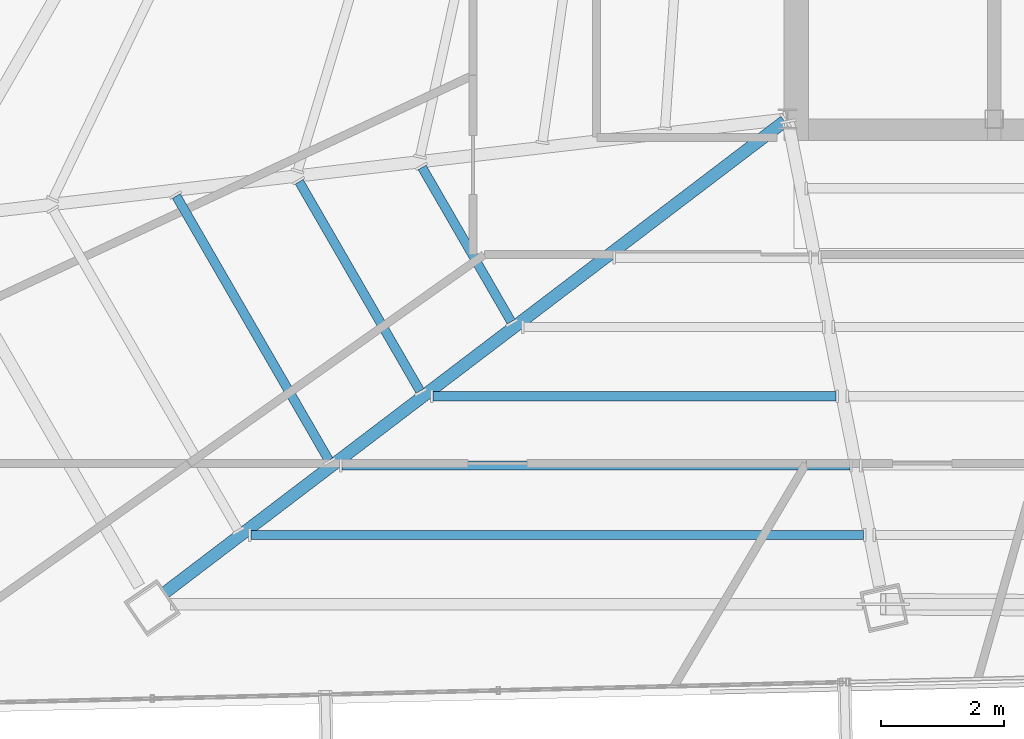
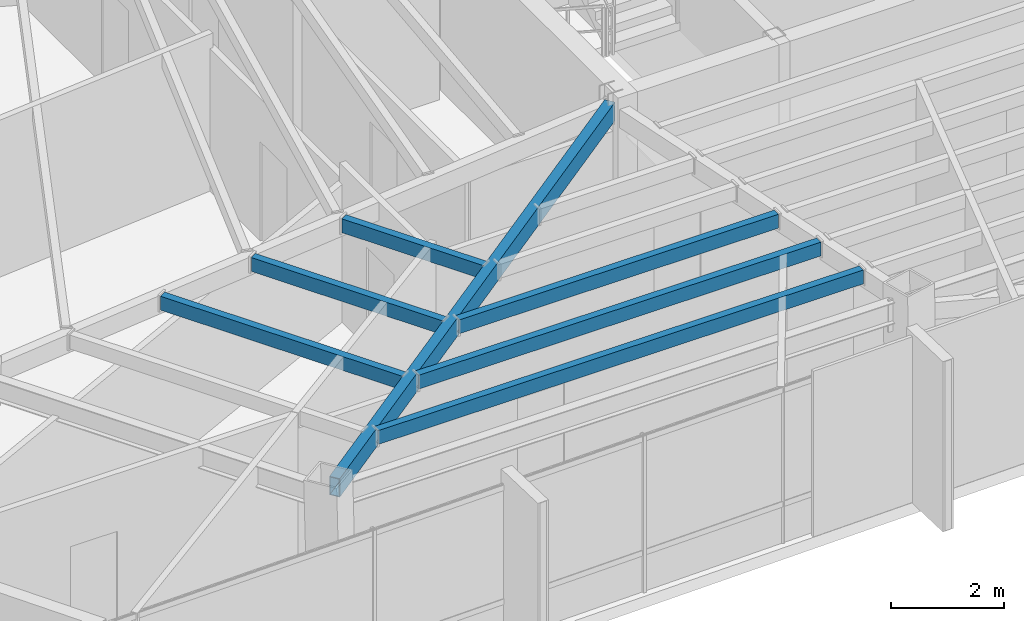
# One storey, part 6 of 45: 7 beams.
"""IFC4 building model written with IfcOpenShell, lengths in metres."""

from ifc_helpers import new_model, si_unit, direction, frame, origin, origin_2d, place, context, subcontext, project, spatial, hollow_rectangle, extrude, source, transform, mapped, material, material_profile, profile_set, type_object, type_shapes, element, save


model = new_model("IFC4")

# Units and contexts
model_context = context("Model", 3, precision=1e-05, world=origin(), true_north=direction((0.0, 1.0)))
body_context = subcontext(model_context, "Body", "Model", "MODEL_VIEW")
ifc_project = project(units=[si_unit("LENGTHUNIT", "METRE"), si_unit("AREAUNIT", "SQUARE_METRE"), si_unit("VOLUMEUNIT", "CUBIC_METRE"), si_unit("PLANEANGLEUNIT", "RADIAN"), si_unit("MASSUNIT", "GRAM", prefix="KILO")], contexts=[model_context])

# Site, building, storey
site_placement = place(None, origin())
site = spatial("IfcSite", under=ifc_project, at=site_placement, CompositionType="ELEMENT")
building_placement = place(site_placement, origin())
building = spatial("IfcBuilding", under=site, at=building_placement, Name="Caelisora Broadcast Tower", CompositionType="ELEMENT")
storey_placement = place(building_placement, frame((0.0, 0.0, 262.699951171875)))
storey = spatial("IfcBuildingStorey", under=building, at=storey_placement, Name="L69", CompositionType="ELEMENT", Elevation=262.699951171875)

# Beams
ifc_material = material(Name="Steel Grade 350 (AS/NZS 1163 C350L0)", Category="steel")
ifc_material_profile_1 = material_profile(ifc_material, hollow_rectangle(XDim=0.199951171875, YDim=0.39990234375, WallThickness=0.012451171875, at=origin_2d()), Name="Steel Grade 350 (AS/NZS 1163 C350L0)")
ifc_profile_set_1 = profile_set([ifc_material_profile_1], Name="Steel Grade 350 (AS/NZS 1163 C350L0)")
beam_type_1 = type_object("IfcBeamType", Name="PG07", PredefinedType="BEAM", material=ifc_profile_set_1)
shared_shape_1 = source(origin(), body_context, "Body", "SweptSolid", [
    extrude(hollow_rectangle(XDim=0.199951171875, YDim=0.39990234375, WallThickness=0.012451171875, at=origin_2d()), origin(), (0.0, 0.0, 1.0), 12.64306640625),
])
type_shapes(beam_type_1, [shared_shape_1])
beam_1_placement = place(storey_placement, frame((30.4521484375, 17.36376953125, 3.199951171875), z_axis=(-0.795910210689, -0.605414681455, 0.0), x_axis=(0.605414681455, -0.795910210689, 0.0)))
element("IfcBeam", 1, at=beam_1_placement, inside=storey, type_object=beam_type_1, Name="L69 beam PG07", PredefinedType="BEAM", context=body_context, shape_type="MappedRepresentation", body=[
    mapped(shared_shape_1, transform((0.0, 0.0, 0.0), scale=1.0)),
])
ifc_material_profile_2 = material_profile(ifc_material, hollow_rectangle(XDim=0.14990234375, YDim=0.300048828125, WallThickness=0.010009765625, at=origin_2d()), Name="Steel Grade 350 (AS/NZS 1163 C350L0)")
ifc_profile_set_2 = profile_set([ifc_material_profile_2], Name="Steel Grade 350 (AS/NZS 1163 C350L0)")
beam_type_2 = type_object("IfcBeamType", Name="SB05", PredefinedType="JOIST", material=ifc_profile_set_2)
shared_shape_2 = source(origin(), body_context, "Body", "SweptSolid", [
    extrude(hollow_rectangle(XDim=0.14990234375, YDim=0.300048828125, WallThickness=0.010009765625, at=origin_2d()), origin(), (0.0, 0.0, 1.0), 2.88916015625),
])
beam_2_placement = place(storey_placement, frame((24.57177734375, 16.613525390625, 3.25), z_axis=(0.49998333816, -0.866035023289, 0.0), x_axis=(0.866035023289, 0.49998333816, 0.0)))
element("IfcBeam", 2, at=beam_2_placement, inside=storey, type_object=beam_type_2, Name="L69 beam SB05", PredefinedType="JOIST", context=body_context, shape_type="MappedRepresentation", body=[
    mapped(shared_shape_2, transform((0.0, 0.0, 0.0), scale=1.0)),
])
shared_shape_3 = source(origin(), body_context, "Body", "SweptSolid", [
    extrude(hollow_rectangle(XDim=0.14990234375, YDim=0.300048828125, WallThickness=0.010009765625, at=origin_2d()), origin(), (0.0, 0.0, 1.0), 3.920166015625),
])
beam_3_placement = place(storey_placement, frame((22.577880859375, 16.3818359375, 3.25), z_axis=(0.500044117093, -0.865999931271, 0.0), x_axis=(0.865999931271, 0.500044117093, 0.0)))
element("IfcBeam", 3, at=beam_3_placement, inside=storey, type_object=beam_type_2, Name="L69 beam SB05", PredefinedType="JOIST", context=body_context, shape_type="MappedRepresentation", body=[
    mapped(shared_shape_3, transform((0.0, 0.0, 0.0), scale=1.0)),
])
shared_shape_4 = source(origin(), body_context, "Body", "SweptSolid", [
    extrude(hollow_rectangle(XDim=0.14990234375, YDim=0.300048828125, WallThickness=0.010009765625, at=origin_2d()), origin(), (0.0, 0.0, 1.0), 4.951171875),
])
beam_4_placement = place(storey_placement, frame((20.584228515625, 16.150390625, 3.25), z_axis=(0.499999897272, -0.866025463095, 0.0), x_axis=(0.866025463095, 0.499999897272, 0.0)))
element("IfcBeam", 4, at=beam_4_placement, inside=storey, type_object=beam_type_2, Name="L69 beam SB05", PredefinedType="JOIST", context=body_context, shape_type="MappedRepresentation", body=[
    mapped(shared_shape_4, transform((0.0, 0.0, 0.0), scale=1.0)),
])
shared_shape_5 = source(origin(), body_context, "Body", "SweptSolid", [
    extrude(hollow_rectangle(XDim=0.14990234375, YDim=0.300048828125, WallThickness=0.010009765625, at=origin_2d()), origin(), (0.0, 0.0, 1.0), 6.5380859375),
])
beam_5_placement = place(storey_placement, frame((24.7490234375, 12.90234375, 3.25), z_axis=(1.0, 0.0, 0.0), x_axis=(0.0, 1.0, 0.0)))
element("IfcBeam", 5, at=beam_5_placement, inside=storey, type_object=beam_type_2, Name="L69 beam SB05", PredefinedType="JOIST", context=body_context, shape_type="MappedRepresentation", body=[
    mapped(shared_shape_5, transform((0.0, 0.0, 0.0), scale=1.0)),
])
shared_shape_6 = source(origin(), body_context, "Body", "SweptSolid", [
    extrude(hollow_rectangle(XDim=0.14990234375, YDim=0.300048828125, WallThickness=0.010009765625, at=origin_2d()), origin(), (0.0, 0.0, 1.0), 8.238037109375),
])
beam_6_placement = place(storey_placement, frame((23.270751953125, 11.77783203125, 3.25), z_axis=(1.0, 0.0, 0.0), x_axis=(0.0, 1.0, 0.0)))
element("IfcBeam", 6, at=beam_6_placement, inside=storey, type_object=beam_type_2, Name="L69 beam SB05", PredefinedType="JOIST", context=body_context, shape_type="MappedRepresentation", body=[
    mapped(shared_shape_6, transform((0.0, 0.0, 0.0), scale=1.0)),
])
shared_shape_7 = source(origin(), body_context, "Body", "SweptSolid", [
    extrude(hollow_rectangle(XDim=0.14990234375, YDim=0.300048828125, WallThickness=0.010009765625, at=origin_2d()), origin(), (0.0, 0.0, 1.0), 9.937744140625),
])
type_shapes(beam_type_2, [shared_shape_2, shared_shape_3, shared_shape_4, shared_shape_5, shared_shape_6, shared_shape_7])
beam_7_placement = place(storey_placement, frame((21.79248046875, 10.6533203125, 3.25), z_axis=(1.0, 0.0, 0.0), x_axis=(0.0, 1.0, 0.0)))
element("IfcBeam", 7, at=beam_7_placement, inside=storey, type_object=beam_type_2, Name="L69 beam SB05", PredefinedType="JOIST", context=body_context, shape_type="MappedRepresentation", body=[
    mapped(shared_shape_7, transform((0.0, 0.0, 0.0), scale=1.0)),
])

save(model, "model.ifc")
